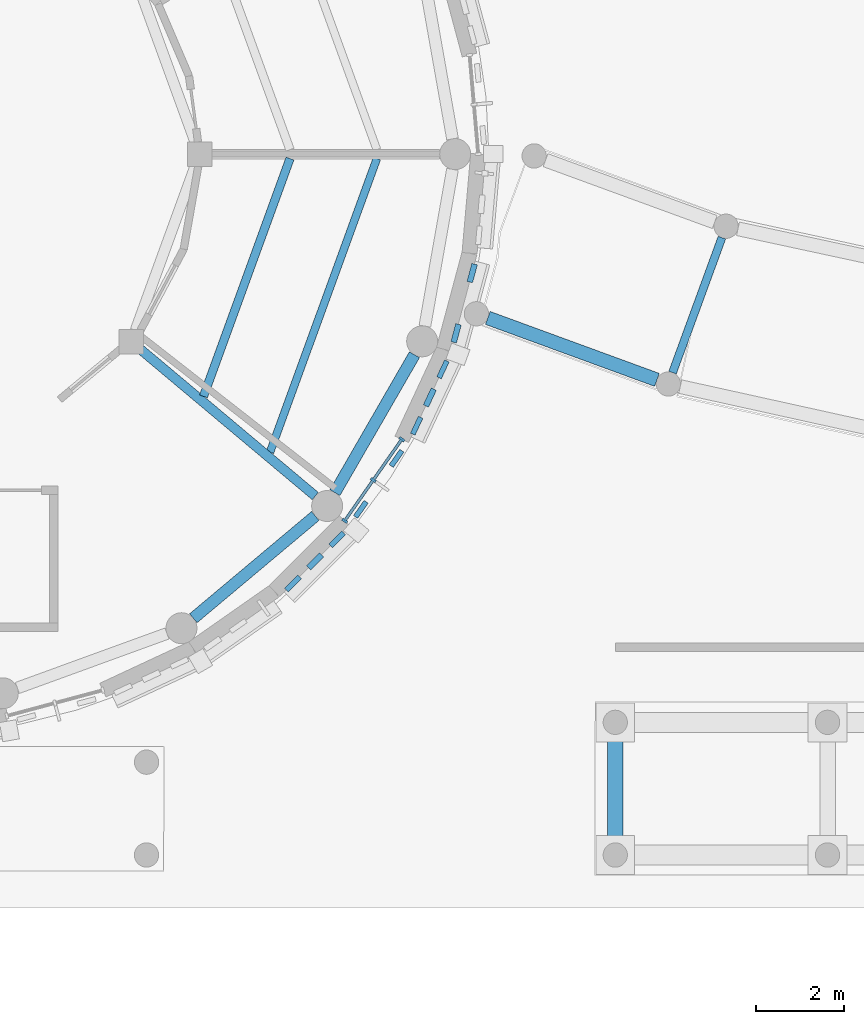
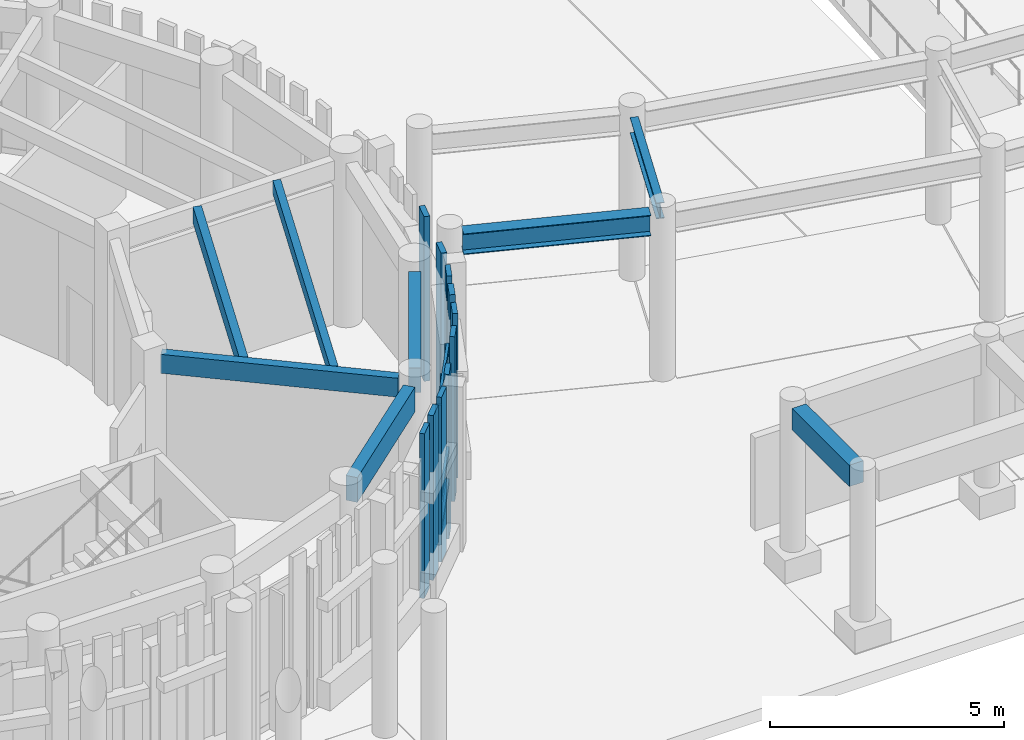
# One storey, part 6 of 94: 16 members, 8 beams, 1 element without a shape of its own.
"""IFC4 building model written with IfcOpenShell, lengths in metres."""

from ifc_helpers import new_model, si_unit, direction, frame, origin, origin_2d, place, context, subcontext, project, spatial, rectangle, i_section, extrude, material, layer, layer_set, material_profile, profile_set, type_object, element, aggregate, save


model = new_model("IFC4")

# Units and contexts
model_context = context("Model", 3, precision=1e-05, world=origin(), true_north=direction((0.0, 1.0)))
body_context = subcontext(model_context, "Body", "Model", "MODEL_VIEW")
ifc_project = project(units=[si_unit("LENGTHUNIT", "METRE"), si_unit("AREAUNIT", "SQUARE_METRE"), si_unit("VOLUMEUNIT", "CUBIC_METRE"), si_unit("PLANEANGLEUNIT", "RADIAN"), si_unit("MASSUNIT", "GRAM", prefix="KILO")], contexts=[model_context])

# Site, building, storey
site_placement = place(None, origin())
site = spatial("IfcSite", under=ifc_project, at=site_placement, CompositionType="ELEMENT")
building_placement = place(site_placement, origin())
building = spatial("IfcBuilding", under=site, at=building_placement, Name="Aldenvaro Health Centre", CompositionType="ELEMENT")
storey_placement = place(building_placement, origin())
storey = spatial("IfcBuildingStorey", under=building, at=storey_placement, Name="L00", CompositionType="ELEMENT", Elevation=0.0)

# Beams
ifc_material_1 = material(Name="Glulam GL28h", Category="wood")
ifc_material_profile_1 = material_profile(ifc_material_1, rectangle(XDim=0.175048828125, YDim=0.35009765625, at=origin_2d()), Name="GL 175x350", Category="wood")
ifc_profile_set_1 = profile_set([ifc_material_profile_1], Name="Glulam GL28h")
beam_type_1 = type_object("IfcBeamType", Name="BM-GL-350", PredefinedType="JOIST", material=ifc_profile_set_1)
beam_1_placement = place(storey_placement, frame((26.69189453125, 11.758056640625, 4.1298828125), z_axis=(0.342009334008, 0.939696554985, 0.0), x_axis=(-0.939696554985, 0.342009334008, 0.0)))
element("IfcBeam", 1, at=beam_1_placement, inside=storey, type_object=beam_type_1, Name="D5 L00 secondary joist 05.2", PredefinedType="JOIST", context=body_context, shape_type="SweptSolid", body=[
    extrude(rectangle(XDim=0.175048828125, YDim=0.35009765625, at=origin_2d()), origin(), (0.0, 0.0, 1.0), 7.067138671875),
])
ifc_material_profile_2 = material_profile(ifc_material_1, rectangle(XDim=0.18994140625, YDim=0.41796875, at=origin_2d()), Name="GL 190x418", Category="wood")
ifc_profile_set_2 = profile_set([ifc_material_profile_2], Name="Glulam GL28h")
beam_type_2 = type_object("IfcBeamType", Name="BM-GL-418", PredefinedType="JOIST", material=ifc_profile_set_2)
beam_2_placement = place(storey_placement, frame((25.18701171875, 13.02099609375, 4.095947265625), z_axis=(0.341962269954, 0.939713682952, 0.0), x_axis=(-0.939713682952, 0.341962269954, 0.0)))
element("IfcBeam", 2, at=beam_2_placement, inside=storey, type_object=beam_type_2, Name="D5 L00 secondary joist 05.1", PredefinedType="JOIST", context=body_context, shape_type="SweptSolid", body=[
    extrude(rectangle(XDim=0.18994140625, YDim=0.41796875, at=origin_2d()), origin(), (0.0, 0.0, 1.0), 5.722900390625),
])
ifc_material_profile_3 = material_profile(ifc_material_1, rectangle(XDim=0.215087890625, YDim=0.493896484375, at=origin_2d()), Name="GL 215x494", Category="wood")
ifc_profile_set_3 = profile_set([ifc_material_profile_3], Name="Glulam GL28h")
beam_type_3 = type_object("IfcBeamType", Name="BM-GL-494", PredefinedType="BEAM", material=ifc_profile_set_3)
beam_3_placement = place(storey_placement, frame((23.76708984375, 14.0810546875, 4.05810546875), z_axis=(0.766007983384, -0.642831058204, 0.0), x_axis=(0.642831058204, 0.766007983384, 0.0)))
element("IfcBeam", 3, at=beam_3_placement, inside=storey, type_object=beam_type_3, Name="D5 L00 radial beam 05", PredefinedType="BEAM", context=body_context, shape_type="SweptSolid", body=[
    extrude(rectangle(XDim=0.215087890625, YDim=0.493896484375, at=origin_2d()), origin(), (0.0, 0.0, 1.0), 5.1552734375),
])
ifc_material_profile_4 = material_profile(ifc_material_1, rectangle(XDim=0.264892578125, YDim=0.64599609375, at=origin_2d()), Name="GL 265x646", Category="wood")
ifc_profile_set_4 = profile_set([ifc_material_profile_4], Name="Glulam GL28h")
beam_type_4 = type_object("IfcBeamType", Name="BM-GL-646", PredefinedType="SPANDREL", material=ifc_profile_set_4)
beam_4_placement = place(storey_placement, frame((24.9580078125, 8.00390625, 3.98193359375), z_axis=(0.766221705246, 0.642576297734, 0.0), x_axis=(-0.642576297734, 0.766221705246, 0.0)))
element("IfcBeam", 4, at=beam_4_placement, inside=storey, type_object=beam_type_4, Name="D5 L00 perimeter spandrel 16", PredefinedType="SPANDREL", context=body_context, shape_type="SweptSolid", body=[
    extrude(rectangle(XDim=0.264892578125, YDim=0.64599609375, at=origin_2d()), origin(), (0.0, 0.0, 1.0), 3.599609375),
])
beam_5_placement = place(storey_placement, frame((28.158935546875, 10.844970703125, 3.98193359375), z_axis=(0.499779208992, 0.866152840011, 0.0), x_axis=(-0.866152840011, 0.499779208992, 0.0)))
element("IfcBeam", 5, at=beam_5_placement, inside=storey, type_object=beam_type_4, Name="D5 L00 perimeter spandrel 17", PredefinedType="SPANDREL", context=body_context, shape_type="SweptSolid", body=[
    extrude(rectangle(XDim=0.264892578125, YDim=0.64599609375, at=origin_2d()), origin(), (0.0, 0.0, 1.0), 3.599853515625),
])
ifc_material_2 = material(Name="Concrete f'c 40 MPa", Category="concrete")
ifc_material_profile_5 = material_profile(ifc_material_2, rectangle(XDim=0.35009765625, YDim=0.56005859375, at=origin_2d()), Name="RC 350x560", Category="concrete")
ifc_profile_set_5 = profile_set([ifc_material_profile_5], Name="Concrete f'c 40 MPa")
beam_type_5 = type_object("IfcBeamType", Name="BM-RC-560E", PredefinedType="JOIST", material=ifc_profile_set_5)
beam_6_placement = place(storey_placement, frame((34.5, 2.925048828125, 4.1201171875), z_axis=(0.0, 1.0, 0.0), x_axis=(-1.0, 0.0, 0.0)))
element("IfcBeam", 6, at=beam_6_placement, inside=storey, type_object=beam_type_5, Name="South Stoa W Transverse Beam L00-1", PredefinedType="JOIST", context=body_context, shape_type="SweptSolid", body=[
    extrude(rectangle(XDim=0.35009765625, YDim=0.56005859375, at=origin_2d()), origin(), (0.0, 0.0, 1.0), 2.449951171875),
])
ifc_material_3 = material(Name="Steel ASTM A992 Grade 50", Category="steel")
ifc_material_profile_6 = material_profile(ifc_material_3, i_section(OverallWidth=0.180908203125, OverallDepth=0.4169921875, WebThickness=0.010986328125, FlangeThickness=0.018310546875, at=origin_2d()), Name="W16X57", Category="steel")
ifc_profile_set_6 = profile_set([ifc_material_profile_6], Name="Steel ASTM A992 Grade 50")
beam_type_6 = type_object("IfcBeamType", Name="BM-ST-W16E", PredefinedType="JOIST", material=ifc_profile_set_6)
beam_7_placement = place(storey_placement, frame((36.910888671875, 16.611083984375, 4.091064453125), z_axis=(-0.343413451821, -0.939184327546, 0.0), x_axis=(0.939184327546, -0.343413451821, 0.0)))
element("IfcBeam", 7, at=beam_7_placement, inside=storey, type_object=beam_type_6, Name="South West Curved Peristyle Walkway Arc 1 L00 cross beam 2", PredefinedType="JOIST", context=body_context, shape_type="SweptSolid", body=[
    extrude(i_section(OverallWidth=0.180908203125, OverallDepth=0.4169921875, WebThickness=0.010986328125, FlangeThickness=0.018310546875, at=origin_2d()), origin(), (0.0, 0.0, 1.0), 3.24951171875),
])
ifc_material_profile_7 = material_profile(ifc_material_3, i_section(OverallWidth=0.31201171875, OverallDepth=0.54296875, WebThickness=0.0126953125, FlangeThickness=0.020263671875, at=origin_2d()), Name="W21X101", Category="steel")
ifc_profile_set_7 = profile_set([ifc_material_profile_7], Name="Steel ASTM A992 Grade 50")
beam_type_7 = type_object("IfcBeamType", Name="BM-ST-W21E", PredefinedType="BEAM", material=ifc_profile_set_7)
beam_8_placement = place(storey_placement, frame((31.616943359375, 14.794921875, 4.029052734375), z_axis=(0.939080861911, -0.343696282773, 0.0), x_axis=(0.343696282773, 0.939080861911, 0.0)))
element("IfcBeam", 8, at=beam_8_placement, inside=storey, type_object=beam_type_7, Name="South West Curved Peristyle Walkway Arc 1 L00 girder R-1", PredefinedType="BEAM", context=body_context, shape_type="SweptSolid", body=[
    extrude(i_section(OverallWidth=0.31201171875, OverallDepth=0.54296875, WebThickness=0.0126953125, FlangeThickness=0.020263671875, at=origin_2d()), origin(), (0.0, 0.0, 1.0), 4.072998046875),
])

# Curtain wall, members
ifc_material_4 = material(Name="Anodised Aluminium 6063-T6", Category="aluminium")
ifc_layer = layer(ifc_material_4, 0.195068359375, Name="Anodised Aluminium 6063-T6", Category="aluminium")
ifc_layer_set = layer_set([ifc_layer], Name="Anodised Aluminium 6063-T6")
curtain_wall_type = type_object("IfcCurtainWallType", Name="CW-CLN-02", PredefinedType="NOTDEFINED", material=ifc_layer_set)
curtain_wall_placement = place(storey_placement, origin())
curtain_wall = element("IfcCurtainWall", 9, at=curtain_wall_placement, inside=storey, type_object=curtain_wall_type, Name="D5 L00 curtain wall bay 04", PredefinedType="NOTDEFINED")
ifc_material_profile_8 = material_profile(ifc_material_4, rectangle(XDim=0.06005859375, YDim=0.135009765625, at=origin_2d()), Name="ALU 60x135", Category="aluminium")
ifc_profile_set_8 = profile_set([ifc_material_profile_8], Name="Anodised Aluminium 6063-T6")
member_type_1 = type_object("IfcMemberType", Name="CWM-150", PredefinedType="MULLION", material=ifc_profile_set_8)
member_1_placement = place(storey_placement, frame((29.672119140625, 12.050048828125, 0.0), z_axis=(0.0, 0.0, 1.0), x_axis=(-0.573641397746, -0.819106553991, 0.0)))
member_1 = element("IfcMember", 10, at=member_1_placement, type_object=member_type_1, Name="D5 L00 curtain wall bay 04 mullion 1", PredefinedType="MULLION", context=body_context, shape_type="SweptSolid", body=[
    extrude(rectangle(XDim=0.06005859375, YDim=0.135009765625, at=origin_2d()), origin(), (0.0, 0.0, 1.0), 3.658935546875),
])
member_2_placement = place(storey_placement, frame((29.027099609375, 11.12890625, 0.0), z_axis=(0.0, 0.0, 1.0), x_axis=(-0.573641397746, -0.819106553991, 0.0)))
member_2 = element("IfcMember", 11, at=member_2_placement, type_object=member_type_1, Name="D5 L00 curtain wall bay 04 mullion 2", PredefinedType="MULLION", context=body_context, shape_type="SweptSolid", body=[
    extrude(rectangle(XDim=0.06005859375, YDim=0.135009765625, at=origin_2d()), origin(), (0.0, 0.0, 1.0), 3.658935546875),
])
member_3_placement = place(storey_placement, frame((28.382080078125, 10.2080078125, 0.0), z_axis=(0.0, 0.0, 1.0), x_axis=(-0.573641397746, -0.819106553991, 0.0)))
member_3 = element("IfcMember", 12, at=member_3_placement, type_object=member_type_1, Name="D5 L00 curtain wall bay 04 mullion 3", PredefinedType="MULLION", context=body_context, shape_type="SweptSolid", body=[
    extrude(rectangle(XDim=0.06005859375, YDim=0.135009765625, at=origin_2d()), origin(), (0.0, 0.0, 1.0), 3.658935546875),
])
ifc_material_profile_9 = material_profile(ifc_material_4, rectangle(XDim=0.06494140625, YDim=0.179931640625, at=origin_2d()), Name="ALU 65x180", Category="aluminium")
ifc_profile_set_9 = profile_set([ifc_material_profile_9], Name="Anodised Aluminium 6063-T6")
member_type_2 = type_object("IfcMemberType", Name="CWT-150", PredefinedType="USERDEFINED", material=ifc_profile_set_9)
member_4_placement = place(storey_placement, frame((29.672119140625, 12.050048828125, 0.06005859375), z_axis=(-0.573644482107, -0.819104393925, 0.0), x_axis=(0.819104393925, -0.573644482107, 0.0)))
member_4 = element("IfcMember", 13, at=member_4_placement, type_object=member_type_2, Name="D5 L00 curtain wall bay 04 transom 1", ObjectType="TRANSOM", PredefinedType="USERDEFINED", context=body_context, shape_type="SweptSolid", body=[
    extrude(rectangle(XDim=0.06494140625, YDim=0.179931640625, at=origin_2d()), origin(), (0.0, 0.0, 1.0), 2.248779296875),
])
member_5_placement = place(storey_placement, frame((29.672119140625, 12.050048828125, 0.89990234375), z_axis=(-0.573644482107, -0.819104393925, 0.0), x_axis=(0.819104393925, -0.573644482107, 0.0)))
member_5 = element("IfcMember", 14, at=member_5_placement, type_object=member_type_2, Name="D5 L00 curtain wall bay 04 transom 2", ObjectType="TRANSOM", PredefinedType="USERDEFINED", context=body_context, shape_type="SweptSolid", body=[
    extrude(rectangle(XDim=0.06494140625, YDim=0.179931640625, at=origin_2d()), origin(), (0.0, 0.0, 1.0), 2.248779296875),
])
member_6_placement = place(storey_placement, frame((29.672119140625, 12.050048828125, 3.59912109375), z_axis=(-0.573644482107, -0.819104393925, 0.0), x_axis=(0.819104393925, -0.573644482107, 0.0)))
member_6 = element("IfcMember", 15, at=member_6_placement, type_object=member_type_2, Name="D5 L00 curtain wall bay 04 transom 3", ObjectType="TRANSOM", PredefinedType="USERDEFINED", context=body_context, shape_type="SweptSolid", body=[
    extrude(rectangle(XDim=0.06494140625, YDim=0.179931640625, at=origin_2d()), origin(), (0.0, 0.0, 1.0), 2.248779296875),
])
aggregate(curtain_wall, [member_1, member_2, member_3, member_4, member_5, member_6])

# Members
ifc_material_profile_10 = material_profile(ifc_material_1, rectangle(XDim=0.114990234375, YDim=0.419921875, at=origin_2d()), Name="GL 115x420", Category="wood")
ifc_profile_set_10 = profile_set([ifc_material_profile_10], Name="Glulam GL28h")
member_type_3 = type_object("IfcMemberType", Name="MEM-SLT-420A", PredefinedType="POST", material=ifc_profile_set_10)
for number, where, z_axis, x_axis, name in (
    (16, (30.60302734375, 13.633056640625, 0.0), (0.0, 0.0, 1.0), (0.906364844733, -0.422495879545, 0.0), "D5 L00 vertical timber slat 3.1"),
    (17, (30.008056640625, 12.35693359375, 0.0), (0.0, 0.0, 1.0), (0.906364844733, -0.422495879545, 0.0), "D5 L00 vertical timber slat 3.3"),
    (18, (29.553955078125, 11.6201171875, 0.0), (0.0, 0.0, 1.0), (0.819106553991, -0.573641397746, 0.0), "D5 L00 curtain mullion timber slat 4"),
    (19, (28.74609375, 10.466064453125, 0.0), (0.0, 0.0, 1.0), (0.819106553991, -0.573641397746, 0.0), "D5 L00 curtain mullion timber slat 4"),
    (20, (28.208984375, 9.787109375, 0.0), (0.0, 0.0, 1.0), (0.707106781187, -0.707106781187, 0.0), "D5 L00 vertical timber slat 5.1"),
    (21, (27.212890625, 8.791015625, 0.0), (0.0, 0.0, 1.0), (0.707106781187, -0.707106781187, 0.0), "D5 L00 vertical timber slat 5.3"),
):
    element("IfcMember", number, at=place(storey_placement, frame(where, z_axis=z_axis, x_axis=x_axis)), inside=storey, type_object=member_type_3, Name=name, PredefinedType="POST", context=body_context, shape_type="SweptSolid", body=[
        extrude(rectangle(XDim=0.114990234375, YDim=0.419921875, at=origin_2d()), origin(), (0.0, 0.0, 1.0), 4.304931640625),
    ])
ifc_material_profile_11 = material_profile(ifc_material_1, rectangle(XDim=0.1298828125, YDim=0.419921875, at=origin_2d()), Name="GL 130x420", Category="wood")
ifc_profile_set_11 = profile_set([ifc_material_profile_11], Name="Glulam GL28h")
member_type_4 = type_object("IfcMemberType", Name="MEM-SLT-420B", PredefinedType="POST", material=ifc_profile_set_11)
for number, where, z_axis, x_axis, name in (
    (22, (31.263916015625, 15.80908203125, 0.0), (0.0, 0.0, 1.0), (0.9659242304, -0.258825000966, 0.0), "D5 L00 vertical timber slat 2.1"),
    (23, (30.89990234375, 14.447998046875, 0.0), (0.0, 0.0, 1.0), (0.9659242304, -0.258825000966, 0.0), "D5 L00 vertical timber slat 2.3"),
    (24, (30.305908203125, 12.9951171875, 0.0), (0.0, 0.0, 1.0), (0.906364844733, -0.422495879545, 0.0), "D5 L00 vertical timber slat 3.2"),
    (25, (27.7109375, 9.2890625, 0.0), (0.0, 0.0, 1.0), (0.707106781187, -0.707106781187, 0.0), "D5 L00 vertical timber slat 5.2"),
):
    element("IfcMember", number, at=place(storey_placement, frame(where, z_axis=z_axis, x_axis=x_axis)), inside=storey, type_object=member_type_4, Name=name, PredefinedType="POST", context=body_context, shape_type="SweptSolid", body=[
        extrude(rectangle(XDim=0.1298828125, YDim=0.419921875, at=origin_2d()), origin(), (0.0, 0.0, 1.0), 4.304931640625),
    ])

save(model, "model.ifc")
